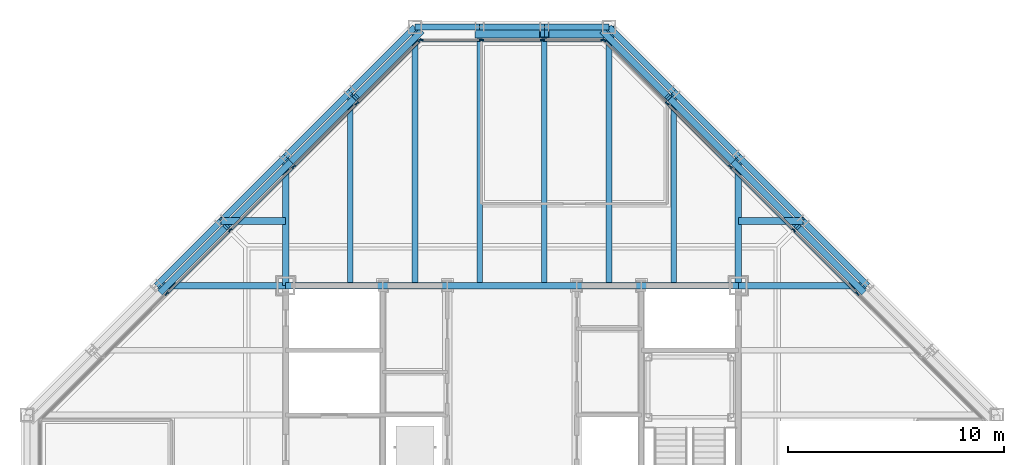
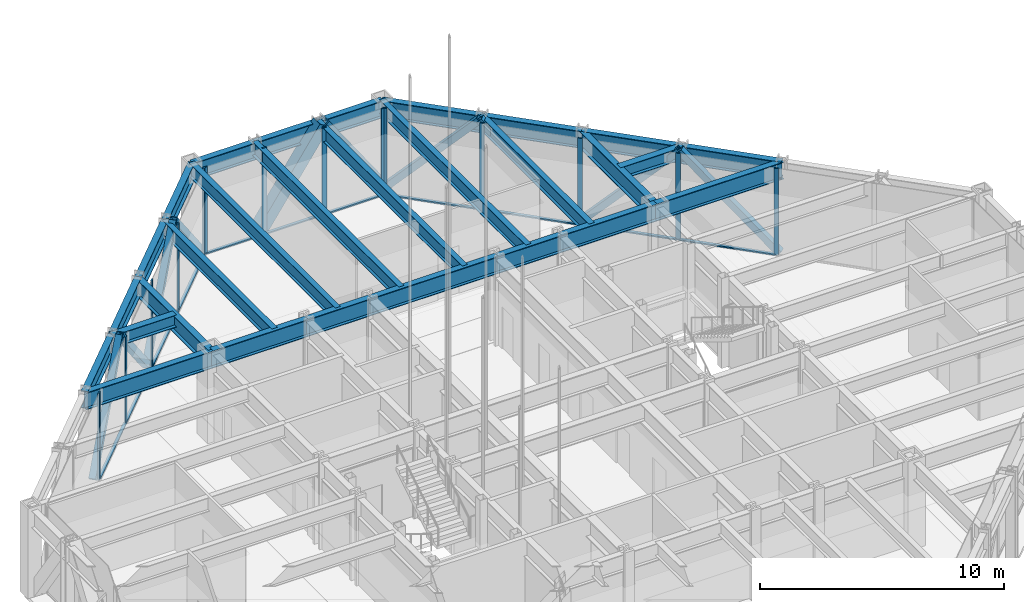
# One storey, part 8 of 24: 35 members, 28 beams, 3 elements without a shape of their own.
"""IFC4 building model written with IfcOpenShell, lengths in metres."""

from ifc_helpers import new_model, si_unit, direction, frame, origin, origin_2d, place, context, subcontext, project, spatial, rectangle, hollow_rectangle, i_section, extrude, material, layer, layer_set, material_profile, profile_set, type_object, element, aggregate, save


model = new_model("IFC4")

# Units and contexts
model_context = context("Model", 3, precision=1e-05, world=origin(), true_north=direction((0.0, 1.0)))
body_context = subcontext(model_context, "Body", "Model", "MODEL_VIEW")
ifc_project = project(units=[si_unit("LENGTHUNIT", "METRE"), si_unit("AREAUNIT", "SQUARE_METRE"), si_unit("VOLUMEUNIT", "CUBIC_METRE"), si_unit("PLANEANGLEUNIT", "RADIAN"), si_unit("MASSUNIT", "GRAM", prefix="KILO")], contexts=[model_context])

# Site, building, storey
site_placement = place(None, origin())
site = spatial("IfcSite", under=ifc_project, at=site_placement, CompositionType="ELEMENT")
building_placement = place(site_placement, origin())
building = spatial("IfcBuilding", under=site, at=building_placement, Name="Chuquiago Exchange Tower", CompositionType="ELEMENT")
storey_placement = place(building_placement, frame((0.0, 0.0, 257.699951171875)))
storey = spatial("IfcBuildingStorey", under=building, at=storey_placement, Name="L57", CompositionType="ELEMENT", Elevation=257.699951171875)

# Beams
ifc_material_1 = material(Name="Steel ASTM A992", Category="steel")
ifc_material_profile_1 = material_profile(ifc_material_1, i_section(OverallWidth=0.2919921875, OverallDepth=0.8583984375, WebThickness=0.01708984375, FlangeThickness=0.031005859375, at=origin_2d()), Name="W33X169")
ifc_profile_set_1 = profile_set([ifc_material_profile_1], Name="Steel ASTM A992")
beam_type_1 = type_object("IfcBeamType", Name="B3 W33X169", PredefinedType="BEAM", material=ifc_profile_set_1)
beam_1_placement = place(storey_placement, frame((12.0, 33.0, 3.91064453125), z_axis=(1.0, 0.0, 0.0), x_axis=(0.0, 1.0, 0.0)))
element("IfcBeam", 1, at=beam_1_placement, inside=storey, type_object=beam_type_1, Name="CB-L58-12_33-16.5_33", PredefinedType="BEAM", context=body_context, shape_type="SweptSolid", body=[
    extrude(i_section(OverallWidth=0.2919921875, OverallDepth=0.8583984375, WebThickness=0.01708984375, FlangeThickness=0.031005859375, at=origin_2d()), origin(), (0.0, 0.0, 1.0), 4.5),
])
beam_2_placement = place(storey_placement, frame((16.5, 33.0, 3.91064453125), z_axis=(1.0, 0.0, 0.0), x_axis=(0.0, 1.0, 0.0)))
element("IfcBeam", 2, at=beam_2_placement, inside=storey, type_object=beam_type_1, Name="CB-L58-16.5_33-19.5_33", PredefinedType="BEAM", context=body_context, shape_type="SweptSolid", body=[
    extrude(i_section(OverallWidth=0.2919921875, OverallDepth=0.8583984375, WebThickness=0.01708984375, FlangeThickness=0.031005859375, at=origin_2d()), origin(), (0.0, 0.0, 1.0), 3.0),
])
beam_3_placement = place(storey_placement, frame((19.5, 33.0, 3.91064453125), z_axis=(1.0, 0.0, 0.0), x_axis=(0.0, 1.0, 0.0)))
element("IfcBeam", 3, at=beam_3_placement, inside=storey, type_object=beam_type_1, Name="CB-L58-19.5_33-25.5_33", PredefinedType="BEAM", context=body_context, shape_type="SweptSolid", body=[
    extrude(i_section(OverallWidth=0.2919921875, OverallDepth=0.8583984375, WebThickness=0.01708984375, FlangeThickness=0.031005859375, at=origin_2d()), origin(), (0.0, 0.0, 1.0), 6.0),
])
beam_4_placement = place(storey_placement, frame((25.5, 33.0, 3.91064453125), z_axis=(1.0, 0.0, 0.0), x_axis=(0.0, 1.0, 0.0)))
element("IfcBeam", 4, at=beam_4_placement, inside=storey, type_object=beam_type_1, Name="CB-L58-25.5_33-28.5_33", PredefinedType="BEAM", context=body_context, shape_type="SweptSolid", body=[
    extrude(i_section(OverallWidth=0.2919921875, OverallDepth=0.8583984375, WebThickness=0.01708984375, FlangeThickness=0.031005859375, at=origin_2d()), origin(), (0.0, 0.0, 1.0), 3.0),
])
beam_5_placement = place(storey_placement, frame((28.5, 33.0, 3.91064453125), z_axis=(1.0, 0.0, 0.0), x_axis=(0.0, 1.0, 0.0)))
element("IfcBeam", 5, at=beam_5_placement, inside=storey, type_object=beam_type_1, Name="CB-L58-28.5_33-33_33", PredefinedType="BEAM", context=body_context, shape_type="SweptSolid", body=[
    extrude(i_section(OverallWidth=0.2919921875, OverallDepth=0.8583984375, WebThickness=0.01708984375, FlangeThickness=0.031005859375, at=origin_2d()), origin(), (0.0, 0.0, 1.0), 4.5),
])
ifc_material_2 = material(Name="Steel ASTM A992", Category="steel")
ifc_material_profile_2 = material_profile(ifc_material_2, i_section(OverallWidth=0.256591796875, OverallDepth=0.693359375, WebThickness=0.014404296875, FlangeThickness=0.023681640625, at=origin_2d()), Name="W27X114")
ifc_profile_set_2 = profile_set([ifc_material_profile_2], Name="Steel ASTM A992")
beam_type_2 = type_object("IfcBeamType", Name="B4 W27X114", PredefinedType="BEAM", material=ifc_profile_set_2)
beam_6_placement = place(storey_placement, frame((15.0, 33.0, 3.993408203125), z_axis=(0.0, 1.0, 0.0), x_axis=(-1.0, 0.0, 0.0)))
element("IfcBeam", 6, at=beam_6_placement, inside=storey, type_object=beam_type_2, Name="FB-L58-infill-15_33-15_42-0", PredefinedType="BEAM", context=body_context, shape_type="SweptSolid", body=[
    extrude(i_section(OverallWidth=0.256591796875, OverallDepth=0.693359375, WebThickness=0.014404296875, FlangeThickness=0.023681640625, at=origin_2d()), origin(), (0.0, 0.0, 1.0), 9.0),
])
for number, where, z_axis, x_axis, name in (
    (7, (18.0, 33.0, 3.993408203125), (0.0, 1.0, 0.0), (-1.0, 0.0, 0.0), "FB-L58-infill-18_33-18_45-0"),
    (8, (21.0, 33.0, 3.993408203125), (0.0, 1.0, 0.0), (-1.0, 0.0, 0.0), "FB-L58-infill-21_33-21_45-0"),
    (9, (24.0, 33.0, 3.993408203125), (0.0, 1.0, 0.0), (-1.0, 0.0, 0.0), "FB-L58-infill-24_33-24_45-0"),
    (10, (27.0, 33.0, 3.993408203125), (0.0, 1.0, 0.0), (-1.0, 0.0, 0.0), "FB-L58-infill-27_33-27_45-0"),
):
    element("IfcBeam", number, at=place(storey_placement, frame(where, z_axis=z_axis, x_axis=x_axis)), inside=storey, type_object=beam_type_2, Name=name, PredefinedType="BEAM", context=body_context, shape_type="SweptSolid", body=[
        extrude(i_section(OverallWidth=0.256591796875, OverallDepth=0.693359375, WebThickness=0.014404296875, FlangeThickness=0.023681640625, at=origin_2d()), origin(), (0.0, 0.0, 1.0), 12.0),
    ])
beam_7_placement = place(storey_placement, frame((30.0, 33.0, 3.993408203125), z_axis=(0.0, 1.0, 0.0), x_axis=(-1.0, 0.0, 0.0)))
element("IfcBeam", 11, at=beam_7_placement, inside=storey, type_object=beam_type_2, Name="FB-L58-infill-30_33-30_42-0", PredefinedType="BEAM", context=body_context, shape_type="SweptSolid", body=[
    extrude(i_section(OverallWidth=0.256591796875, OverallDepth=0.693359375, WebThickness=0.014404296875, FlangeThickness=0.023681640625, at=origin_2d()), origin(), (0.0, 0.0, 1.0), 9.0),
])
ifc_material_3 = material(Name="Steel ASTM A992", Category="steel")
ifc_material_profile_3 = material_profile(ifc_material_3, i_section(OverallWidth=0.3251953125, OverallDepth=0.6171875, WebThickness=0.013916015625, FlangeThickness=0.021484375, at=origin_2d()), Name="W24X117")
ifc_profile_set_3 = profile_set([ifc_material_profile_3], Name="Steel ASTM A992")
beam_type_3 = type_object("IfcBeamType", Name="B5 W24X117", PredefinedType="BEAM", material=ifc_profile_set_3)
for number, where, z_axis, x_axis, name in (
    (12, (12.0, 36.0, 4.031494140625), (-1.0, 0.0, 0.0), (0.0, -1.0, 0.0), "FB-L58-corner-12_36-9_36-0"),
    (13, (33.0, 36.0, 4.031494140625), (1.0, 0.0, 0.0), (0.0, 1.0, 0.0), "FB-L58-corner-33_36-36_36-0"),
):
    element("IfcBeam", number, at=place(storey_placement, frame(where, z_axis=z_axis, x_axis=x_axis)), inside=storey, type_object=beam_type_3, Name=name, PredefinedType="BEAM", context=body_context, shape_type="SweptSolid", body=[
        extrude(i_section(OverallWidth=0.3251953125, OverallDepth=0.6171875, WebThickness=0.013916015625, FlangeThickness=0.021484375, at=origin_2d()), origin(), (0.0, 0.0, 1.0), 3.0),
    ])

# Curtain wall, members
ifc_material_4 = material(Name="Aluminium curtain wall system", Category="aluminium")
ifc_layer_1 = layer(ifc_material_4, 0.22509765625)
ifc_layer_set_1 = layer_set([ifc_layer_1], Name="CW2 office curtain wall")
curtain_wall_type_1 = type_object("IfcCurtainWallType", Name="CW2 office curtain wall", PredefinedType="NOTDEFINED", material=ifc_layer_set_1)
curtain_wall_1_placement = place(storey_placement, origin())
curtain_wall_1 = element("IfcCurtainWall", 14, at=curtain_wall_1_placement, inside=storey, type_object=curtain_wall_type_1, Name="CW2 curtain wall L57", PredefinedType="NOTDEFINED")
ifc_material_5 = material(Name="Aluminium mullion, pale anodised", Category="aluminium")
ifc_material_profile_4 = material_profile(ifc_material_5, rectangle(XDim=0.06494140625, YDim=0.22509765625, at=origin_2d()), Name="AL 65x225")
ifc_profile_set_4 = profile_set([ifc_material_profile_4], Name="Aluminium mullion, pale anodised")
member_type_1 = type_object("IfcMemberType", Name="CW2-M mullion 65x225", PredefinedType="MULLION", material=ifc_profile_set_4)
member_1_placement = place(storey_placement, frame((26.718994140625, 44.39990234375, 0.0), z_axis=(0.0, 0.0, 1.0), x_axis=(0.0, -1.0, 0.0)))
member_1 = element("IfcMember", 15, at=member_1_placement, type_object=member_type_1, Name="CW2 mullion 1", PredefinedType="MULLION", context=body_context, shape_type="SweptSolid", body=[
    extrude(rectangle(XDim=0.06494140625, YDim=0.22509765625, at=origin_2d()), origin(), (0.0, 0.0, 1.0), 4.340087890625),
])
member_2_placement = place(storey_placement, frame((23.917236328125, 44.39990234375, 0.0), z_axis=(0.0, 0.0, 1.0), x_axis=(0.0, -1.0, 0.0)))
member_2 = element("IfcMember", 16, at=member_2_placement, type_object=member_type_1, Name="CW2 mullion 2", PredefinedType="MULLION", context=body_context, shape_type="SweptSolid", body=[
    extrude(rectangle(XDim=0.06494140625, YDim=0.22509765625, at=origin_2d()), origin(), (0.0, 0.0, 1.0), 4.340087890625),
])
member_3_placement = place(storey_placement, frame((21.082763671875, 44.39990234375, 0.0), z_axis=(0.0, 0.0, 1.0), x_axis=(0.0, -1.0, 0.0)))
member_3 = element("IfcMember", 17, at=member_3_placement, type_object=member_type_1, Name="CW2 mullion 3", PredefinedType="MULLION", context=body_context, shape_type="SweptSolid", body=[
    extrude(rectangle(XDim=0.06494140625, YDim=0.22509765625, at=origin_2d()), origin(), (0.0, 0.0, 1.0), 4.340087890625),
])
member_4_placement = place(storey_placement, frame((18.281005859375, 44.39990234375, 0.0), z_axis=(0.0, 0.0, 1.0), x_axis=(0.0, -1.0, 0.0)))
member_4 = element("IfcMember", 18, at=member_4_placement, type_object=member_type_1, Name="CW2 mullion 4", PredefinedType="MULLION", context=body_context, shape_type="SweptSolid", body=[
    extrude(rectangle(XDim=0.06494140625, YDim=0.22509765625, at=origin_2d()), origin(), (0.0, 0.0, 1.0), 4.340087890625),
])
ifc_material_6 = material(Name="Aluminium transom, pale anodised", Category="aluminium")
ifc_material_profile_5 = material_profile(ifc_material_6, rectangle(XDim=0.139892578125, YDim=0.06494140625, at=origin_2d()), Name="AL 140x65")
ifc_profile_set_5 = profile_set([ifc_material_profile_5], Name="Aluminium transom, pale anodised")
member_type_2 = type_object("IfcMemberType", Name="CW2-T transom 65x140", PredefinedType="MULLION", material=ifc_profile_set_5)
member_5_placement = place(storey_placement, frame((26.6865234375, 44.39990234375, 0.032470703125), z_axis=(-1.0, 0.0, 0.0), x_axis=(0.0, -1.0, 0.0)))
member_5 = element("IfcMember", 19, at=member_5_placement, type_object=member_type_2, Name="CW2 transom 1.1", PredefinedType="MULLION", context=body_context, shape_type="SweptSolid", body=[
    extrude(rectangle(XDim=0.139892578125, YDim=0.06494140625, at=origin_2d()), origin(), (0.0, 0.0, 1.0), 2.73681640625),
])
member_6_placement = place(storey_placement, frame((23.884765625, 44.39990234375, 0.032470703125), z_axis=(-1.0, 0.0, 0.0), x_axis=(0.0, -1.0, 0.0)))
member_6 = element("IfcMember", 20, at=member_6_placement, type_object=member_type_2, Name="CW2 transom 2.1", PredefinedType="MULLION", context=body_context, shape_type="SweptSolid", body=[
    extrude(rectangle(XDim=0.139892578125, YDim=0.06494140625, at=origin_2d()), origin(), (0.0, 0.0, 1.0), 2.76953125),
])
member_7_placement = place(storey_placement, frame((21.05029296875, 44.39990234375, 0.032470703125), z_axis=(-1.0, 0.0, 0.0), x_axis=(0.0, -1.0, 0.0)))
member_7 = element("IfcMember", 21, at=member_7_placement, type_object=member_type_2, Name="CW2 transom 3.1", PredefinedType="MULLION", context=body_context, shape_type="SweptSolid", body=[
    extrude(rectangle(XDim=0.139892578125, YDim=0.06494140625, at=origin_2d()), origin(), (0.0, 0.0, 1.0), 2.73681640625),
])
aggregate(curtain_wall_1, [member_1, member_2, member_3, member_4, member_5, member_6, member_7])

ifc_material_7 = material(Name="Aluminium curtain wall system", Category="aluminium")
ifc_layer_2 = layer(ifc_material_7, 0.199951171875)
ifc_layer_set_2 = layer_set([ifc_layer_2], Name="CW3 facet curtain wall")
curtain_wall_type_2 = type_object("IfcCurtainWallType", Name="CW3 facet curtain wall", PredefinedType="NOTDEFINED", material=ifc_layer_set_2)
curtain_wall_2_placement = place(storey_placement, origin())
curtain_wall_2 = element("IfcCurtainWall", 22, at=curtain_wall_2_placement, inside=storey, type_object=curtain_wall_type_2, Name="CW3 curtain wall L57", PredefinedType="NOTDEFINED")
ifc_material_8 = material(Name="Aluminium mullion, pale anodised", Category="aluminium")
ifc_material_profile_6 = material_profile(ifc_material_8, rectangle(XDim=0.06494140625, YDim=0.199951171875, at=origin_2d()), Name="AL 65x200")
ifc_profile_set_6 = profile_set([ifc_material_profile_6], Name="Aluminium mullion, pale anodised")
member_type_3 = type_object("IfcMemberType", Name="CW3-M mullion 65x200", PredefinedType="MULLION", material=ifc_profile_set_6)
member_8_placement = place(storey_placement, frame((38.51708984375, 32.63427734375, 0.0), z_axis=(0.0, 0.0, 1.0), x_axis=(-0.707106781187, -0.707106781187, 0.0)))
member_8 = element("IfcMember", 23, at=member_8_placement, type_object=member_type_3, Name="CW3 mullion 3", PredefinedType="MULLION", context=body_context, shape_type="SweptSolid", body=[
    extrude(rectangle(XDim=0.06494140625, YDim=0.199951171875, at=origin_2d()), origin(), (0.0, 0.0, 1.0), 4.340087890625),
])
member_9_placement = place(storey_placement, frame((35.57568359375, 35.57568359375, 0.0), z_axis=(0.0, 0.0, 1.0), x_axis=(-0.707106781187, -0.707106781187, 0.0)))
member_9 = element("IfcMember", 24, at=member_9_placement, type_object=member_type_3, Name="CW3 mullion 4", PredefinedType="MULLION", context=body_context, shape_type="SweptSolid", body=[
    extrude(rectangle(XDim=0.06494140625, YDim=0.199951171875, at=origin_2d()), origin(), (0.0, 0.0, 1.0), 4.340087890625),
])
member_10_placement = place(storey_placement, frame((32.63427734375, 38.51708984375, 0.0), z_axis=(0.0, 0.0, 1.0), x_axis=(-0.707106781187, -0.707106781187, 0.0)))
member_10 = element("IfcMember", 25, at=member_10_placement, type_object=member_type_3, Name="CW3 mullion 5", PredefinedType="MULLION", context=body_context, shape_type="SweptSolid", body=[
    extrude(rectangle(XDim=0.06494140625, YDim=0.199951171875, at=origin_2d()), origin(), (0.0, 0.0, 1.0), 4.340087890625),
])
member_11_placement = place(storey_placement, frame((29.69287109375, 41.45849609375, 0.0), z_axis=(0.0, 0.0, 1.0), x_axis=(-0.707106781187, -0.707106781187, 0.0)))
member_11 = element("IfcMember", 26, at=member_11_placement, type_object=member_type_3, Name="CW3 mullion 6", PredefinedType="MULLION", context=body_context, shape_type="SweptSolid", body=[
    extrude(rectangle(XDim=0.06494140625, YDim=0.199951171875, at=origin_2d()), origin(), (0.0, 0.0, 1.0), 4.340087890625),
])
member_12_placement = place(storey_placement, frame((26.7744140625, 44.376953125, 0.0), z_axis=(0.0, 0.0, 1.0), x_axis=(-0.707106781187, -0.707106781187, 0.0)))
member_12 = element("IfcMember", 27, at=member_12_placement, type_object=member_type_3, Name="CW3 mullion 7", PredefinedType="MULLION", context=body_context, shape_type="SweptSolid", body=[
    extrude(rectangle(XDim=0.06494140625, YDim=0.199951171875, at=origin_2d()), origin(), (0.0, 0.0, 1.0), 4.340087890625),
])

curtain_wall_3_placement = place(storey_placement, origin())
curtain_wall_3 = element("IfcCurtainWall", 28, at=curtain_wall_3_placement, inside=storey, type_object=curtain_wall_type_2, Name="CW3 curtain wall L57", PredefinedType="NOTDEFINED")
member_13_placement = place(storey_placement, frame((18.2255859375, 44.376953125, 0.0), z_axis=(0.0, 0.0, 1.0), x_axis=(0.707106781187, -0.707106781187, 0.0)))
member_13 = element("IfcMember", 29, at=member_13_placement, type_object=member_type_3, Name="CW3 mullion 1", PredefinedType="MULLION", context=body_context, shape_type="SweptSolid", body=[
    extrude(rectangle(XDim=0.06494140625, YDim=0.199951171875, at=origin_2d()), origin(), (0.0, 0.0, 1.0), 4.340087890625),
])
member_14_placement = place(storey_placement, frame((15.30712890625, 41.45849609375, 0.0), z_axis=(0.0, 0.0, 1.0), x_axis=(0.707106781187, -0.707106781187, 0.0)))
member_14 = element("IfcMember", 30, at=member_14_placement, type_object=member_type_3, Name="CW3 mullion 2", PredefinedType="MULLION", context=body_context, shape_type="SweptSolid", body=[
    extrude(rectangle(XDim=0.06494140625, YDim=0.199951171875, at=origin_2d()), origin(), (0.0, 0.0, 1.0), 4.340087890625),
])
member_15_placement = place(storey_placement, frame((12.36572265625, 38.51708984375, 0.0), z_axis=(0.0, 0.0, 1.0), x_axis=(0.707106781187, -0.707106781187, 0.0)))
member_15 = element("IfcMember", 31, at=member_15_placement, type_object=member_type_3, Name="CW3 mullion 3", PredefinedType="MULLION", context=body_context, shape_type="SweptSolid", body=[
    extrude(rectangle(XDim=0.06494140625, YDim=0.199951171875, at=origin_2d()), origin(), (0.0, 0.0, 1.0), 4.340087890625),
])
member_16_placement = place(storey_placement, frame((9.42431640625, 35.57568359375, 0.0), z_axis=(0.0, 0.0, 1.0), x_axis=(0.707106781187, -0.707106781187, 0.0)))
member_16 = element("IfcMember", 32, at=member_16_placement, type_object=member_type_3, Name="CW3 mullion 4", PredefinedType="MULLION", context=body_context, shape_type="SweptSolid", body=[
    extrude(rectangle(XDim=0.06494140625, YDim=0.199951171875, at=origin_2d()), origin(), (0.0, 0.0, 1.0), 4.340087890625),
])
member_17_placement = place(storey_placement, frame((6.48291015625, 32.63427734375, 0.0), z_axis=(0.0, 0.0, 1.0), x_axis=(0.707106781187, -0.707106781187, 0.0)))
member_17 = element("IfcMember", 33, at=member_17_placement, type_object=member_type_3, Name="CW3 mullion 5", PredefinedType="MULLION", context=body_context, shape_type="SweptSolid", body=[
    extrude(rectangle(XDim=0.06494140625, YDim=0.199951171875, at=origin_2d()), origin(), (0.0, 0.0, 1.0), 4.340087890625),
])

# Member
ifc_material_9 = material(Name="Aluminium transom, pale anodised", Category="aluminium")
ifc_material_profile_7 = material_profile(ifc_material_9, rectangle(XDim=0.139892578125, YDim=0.06494140625, at=origin_2d()), Name="AL 140x65")
ifc_profile_set_7 = profile_set([ifc_material_profile_7], Name="Aluminium transom, pale anodised")
member_type_4 = type_object("IfcMemberType", Name="CW3-T transom 65x140", PredefinedType="MULLION", material=ifc_profile_set_7)
member_18_placement = place(storey_placement, frame((38.494140625, 32.6572265625, 0.032470703125), z_axis=(-0.707106781187, 0.707106781187, 0.0), x_axis=(-0.707106781187, -0.707106781187, 0.0)))
member_18 = element("IfcMember", 34, at=member_18_placement, type_object=member_type_4, Name="CW3 transom 3.1", PredefinedType="MULLION", context=body_context, shape_type="SweptSolid", body=[
    extrude(rectangle(XDim=0.139892578125, YDim=0.06494140625, at=origin_2d()), origin(), (0.0, 0.0, 1.0), 4.094970703125),
])

member_19_placement = place(storey_placement, frame((35.552734375, 35.5986328125, 0.032470703125), z_axis=(-0.707106781187, 0.707106781187, 0.0), x_axis=(-0.707106781187, -0.707106781187, 0.0)))
member_19 = element("IfcMember", 35, at=member_19_placement, type_object=member_type_4, Name="CW3 transom 4.1", PredefinedType="MULLION", context=body_context, shape_type="SweptSolid", body=[
    extrude(rectangle(XDim=0.139892578125, YDim=0.06494140625, at=origin_2d()), origin(), (0.0, 0.0, 1.0), 4.094970703125),
])

member_20_placement = place(storey_placement, frame((32.611328125, 38.5400390625, 0.032470703125), z_axis=(-0.707106781187, 0.707106781187, 0.0), x_axis=(-0.707106781187, -0.707106781187, 0.0)))
member_20 = element("IfcMember", 36, at=member_20_placement, type_object=member_type_4, Name="CW3 transom 5.1", PredefinedType="MULLION", context=body_context, shape_type="SweptSolid", body=[
    extrude(rectangle(XDim=0.139892578125, YDim=0.06494140625, at=origin_2d()), origin(), (0.0, 0.0, 1.0), 4.094970703125),
])

member_21_placement = place(storey_placement, frame((29.669921875, 41.4814453125, 0.032470703125), z_axis=(-0.707106781187, 0.707106781187, 0.0), x_axis=(-0.707106781187, -0.707106781187, 0.0)))
member_21 = element("IfcMember", 37, at=member_21_placement, type_object=member_type_4, Name="CW3 transom 6.1", PredefinedType="MULLION", context=body_context, shape_type="SweptSolid", body=[
    extrude(rectangle(XDim=0.139892578125, YDim=0.06494140625, at=origin_2d()), origin(), (0.0, 0.0, 1.0), 4.0625),
])

aggregate(curtain_wall_2, [member_8, member_9, member_10, member_11, member_12, member_18, member_19, member_20, member_21])

member_22_placement = place(storey_placement, frame((18.20263671875, 44.35400390625, 0.032470703125), z_axis=(-0.707106781187, -0.707106781187, 0.0), x_axis=(0.707106781187, -0.707106781187, 0.0)))
member_22 = element("IfcMember", 38, at=member_22_placement, type_object=member_type_4, Name="CW3 transom 1.1", PredefinedType="MULLION", context=body_context, shape_type="SweptSolid", body=[
    extrude(rectangle(XDim=0.139892578125, YDim=0.06494140625, at=origin_2d()), origin(), (0.0, 0.0, 1.0), 4.0625),
])

member_23_placement = place(storey_placement, frame((15.2841796875, 41.435546875, 0.032470703125), z_axis=(-0.707106781187, -0.707106781187, 0.0), x_axis=(0.707106781187, -0.707106781187, 0.0)))
member_23 = element("IfcMember", 39, at=member_23_placement, type_object=member_type_4, Name="CW3 transom 2.1", PredefinedType="MULLION", context=body_context, shape_type="SweptSolid", body=[
    extrude(rectangle(XDim=0.139892578125, YDim=0.06494140625, at=origin_2d()), origin(), (0.0, 0.0, 1.0), 4.094970703125),
])

member_24_placement = place(storey_placement, frame((12.3427734375, 38.494140625, 0.032470703125), z_axis=(-0.707106781187, -0.707106781187, 0.0), x_axis=(0.707106781187, -0.707106781187, 0.0)))
member_24 = element("IfcMember", 40, at=member_24_placement, type_object=member_type_4, Name="CW3 transom 3.1", PredefinedType="MULLION", context=body_context, shape_type="SweptSolid", body=[
    extrude(rectangle(XDim=0.139892578125, YDim=0.06494140625, at=origin_2d()), origin(), (0.0, 0.0, 1.0), 4.094970703125),
])

member_25_placement = place(storey_placement, frame((9.4013671875, 35.552734375, 0.032470703125), z_axis=(-0.707106781187, -0.707106781187, 0.0), x_axis=(0.707106781187, -0.707106781187, 0.0)))
member_25 = element("IfcMember", 41, at=member_25_placement, type_object=member_type_4, Name="CW3 transom 4.1", PredefinedType="MULLION", context=body_context, shape_type="SweptSolid", body=[
    extrude(rectangle(XDim=0.139892578125, YDim=0.06494140625, at=origin_2d()), origin(), (0.0, 0.0, 1.0), 4.094970703125),
])

aggregate(curtain_wall_3, [member_13, member_14, member_15, member_16, member_17, member_22, member_23, member_24, member_25])

# Beams
ifc_material_10 = material(Name="Steel ASTM A992", Category="steel")
ifc_material_profile_8 = material_profile(ifc_material_10, i_section(OverallWidth=0.2919921875, OverallDepth=0.8583984375, WebThickness=0.01708984375, FlangeThickness=0.031005859375, at=origin_2d()), Name="W33X169")
ifc_profile_set_8 = profile_set([ifc_material_profile_8], Name="Steel ASTM A992")
beam_type_4 = type_object("IfcBeamType", Name="G2 W33X169", PredefinedType="BEAM", material=ifc_profile_set_8)
for number, where, z_axis, x_axis, name in (
    (42, (12.0, 33.0, 3.91064453125), (0.0, 1.0, 0.0), (-1.0, 0.0, 0.0), "FB-L58-girder-12_33-12_39-0"),
    (43, (33.0, 33.0, 3.91064453125), (0.0, 1.0, 0.0), (-1.0, 0.0, 0.0), "FB-L58-girder-33_33-33_39-0"),
    (44, (33.0, 33.0, 3.91064453125), (1.0, 0.0, 0.0), (0.0, 1.0, 0.0), "FB-L58-girder-33_33-39_33-0"),
    (45, (12.0, 33.0, 3.91064453125), (-1.0, 0.0, 0.0), (0.0, -1.0, 0.0), "FB-L58-girder-12_33-6_33-0"),
):
    element("IfcBeam", number, at=place(storey_placement, frame(where, z_axis=z_axis, x_axis=x_axis)), inside=storey, type_object=beam_type_4, Name=name, PredefinedType="BEAM", context=body_context, shape_type="SweptSolid", body=[
        extrude(i_section(OverallWidth=0.2919921875, OverallDepth=0.8583984375, WebThickness=0.01708984375, FlangeThickness=0.031005859375, at=origin_2d()), origin(), (0.0, 0.0, 1.0), 6.0),
    ])

# Members
ifc_material_11 = material(Name="Steel ASTM A500 Grade C", Category="steel")
ifc_material_profile_9 = material_profile(ifc_material_11, hollow_rectangle(XDim=0.3046875, YDim=0.3046875, WallThickness=0.0146484375, at=origin_2d()), Name="HSS12X12X5/8")
ifc_profile_set_9 = profile_set([ifc_material_profile_9], Name="Steel ASTM A500 Grade C")
member_type_5 = type_object("IfcMemberType", Name="LB3 HSS12X12X5/8", PredefinedType="BRACE", material=ifc_profile_set_9)
for number, where, z_axis, x_axis, name in (
    (46, (38.750732421875, 32.750732421875, 0.0), (-0.494291205278, 0.494291205278, 0.715089091491), (-0.707106781187, -0.707106781187, 0.0), "LB-L57-39_33-36_36"),
    (47, (32.750732421875, 38.750732421875, 0.0), (0.494291205278, -0.494291205278, 0.715089091491), (0.707106781187, 0.707106781187, 0.0), "LB-L57-36_36-33_39"),
    (48, (32.750732421875, 38.750732421875, 0.0), (-0.494291205278, 0.494291205278, 0.715089091491), (-0.707106781187, -0.707106781187, 0.0), "LB-L57-33_39-30_42"),
    (49, (26.750732421875, 44.750732421875, 0.0), (0.494291205278, -0.494291205278, 0.715089091491), (0.707106781187, 0.707106781187, 0.0), "LB-L57-30_42-27_45"),
    (50, (18.249267578125, 44.750732421875, 0.0), (-0.494291205278, -0.494291205278, 0.715089091491), (0.707106781187, -0.707106781187, 0.0), "LB-L57-18_45-15_42"),
    (51, (12.249267578125, 38.750732421875, 0.0), (0.494291205278, 0.494291205278, 0.715089091491), (-0.707106781187, 0.707106781187, 0.0), "LB-L57-15_42-12_39"),
    (52, (12.249267578125, 38.750732421875, 0.0), (-0.494291205278, -0.494291205278, 0.715089091491), (0.707106781187, -0.707106781187, 0.0), "LB-L57-12_39-9_36"),
    (53, (6.249267578125, 32.750732421875, 0.0), (0.494291205278, 0.494291205278, 0.715089091491), (-0.707106781187, 0.707106781187, 0.0), "LB-L57-9_36-6_33"),
):
    element("IfcMember", number, at=place(storey_placement, frame(where, z_axis=z_axis, x_axis=x_axis)), inside=storey, type_object=member_type_5, Name=name, PredefinedType="BRACE", context=body_context, shape_type="SweptSolid", body=[
        extrude(hollow_rectangle(XDim=0.3046875, YDim=0.3046875, WallThickness=0.0146484375, at=origin_2d()), origin(), (0.0, 0.0, 1.0), 6.0693359375),
    ])
ifc_material_12 = material(Name="Steel ASTM A572 Grade 50", Category="steel")
ifc_material_profile_10 = material_profile(ifc_material_12, hollow_rectangle(XDim=0.550048828125, YDim=0.550048828125, WallThickness=0.044921875, at=origin_2d()), Name="BOX550X550X45")
ifc_profile_set_10 = profile_set([ifc_material_profile_10], Name="Steel ASTM A572 Grade 50")
member_type_6 = type_object("IfcMemberType", Name="MB4 BOX550X550X45", PredefinedType="BRACE", material=ifc_profile_set_10)
for number, where, z_axis, x_axis, name in (
    (54, (27.0, 44.77001953125, 0.0), (-0.568610676405, 0.0, 0.822606770382), (0.0, -1.0, 0.0), "Mega diagonal L57 N face"),
    (55, (21.0, 44.77001953125, 0.0), (0.568610676405, 0.0, 0.822606770382), (0.0, 1.0, 0.0), "Mega diagonal L57 N face"),
):
    element("IfcMember", number, at=place(storey_placement, frame(where, z_axis=z_axis, x_axis=x_axis)), inside=storey, type_object=member_type_6, Name=name, PredefinedType="BRACE", context=body_context, shape_type="SweptSolid", body=[
        extrude(hollow_rectangle(XDim=0.550048828125, YDim=0.550048828125, WallThickness=0.044921875, at=origin_2d()), origin(), (0.0, 0.0, 1.0), 5.276123046875),
    ])

# Beams
ifc_material_13 = material(Name="Steel ASTM A992", Category="steel")
ifc_material_profile_11 = material_profile(ifc_material_13, i_section(OverallWidth=0.2919921875, OverallDepth=0.8583984375, WebThickness=0.01708984375, FlangeThickness=0.031005859375, at=origin_2d()), Name="W33X169")
ifc_profile_set_11 = profile_set([ifc_material_profile_11], Name="Steel ASTM A992")
beam_type_5 = type_object("IfcBeamType", Name="SP4 W33X169", PredefinedType="SPANDREL", material=ifc_profile_set_11)
for number, where, z_axis, x_axis, name in (
    (56, (39.0, 33.0, 3.91064453125), (-0.707106781187, 0.707106781187, 0.0), (-0.707106781187, -0.707106781187, 0.0), "SPB-L58-39_33-36_36"),
    (57, (36.0, 36.0, 3.91064453125), (-0.707106781187, 0.707106781187, 0.0), (-0.707106781187, -0.707106781187, 0.0), "SPB-L58-36_36-33_39"),
    (58, (33.0, 39.0, 3.91064453125), (-0.707106781187, 0.707106781187, 0.0), (-0.707106781187, -0.707106781187, 0.0), "SPB-L58-33_39-30_42"),
    (59, (30.0, 42.0, 3.91064453125), (-0.707106781187, 0.707106781187, 0.0), (-0.707106781187, -0.707106781187, 0.0), "SPB-L58-30_42-27_45"),
):
    element("IfcBeam", number, at=place(storey_placement, frame(where, z_axis=z_axis, x_axis=x_axis)), inside=storey, type_object=beam_type_5, Name=name, PredefinedType="SPANDREL", context=body_context, shape_type="SweptSolid", body=[
        extrude(i_section(OverallWidth=0.2919921875, OverallDepth=0.8583984375, WebThickness=0.01708984375, FlangeThickness=0.031005859375, at=origin_2d()), origin(), (0.0, 0.0, 1.0), 4.24267578125),
    ])
for number, where, z_axis, x_axis, name in (
    (60, (27.0, 45.0, 3.91064453125), (-1.0, 0.0, 0.0), (0.0, -1.0, 0.0), "SPB-L58-27_45-24_45"),
    (61, (24.0, 45.0, 3.91064453125), (-1.0, 0.0, 0.0), (0.0, -1.0, 0.0), "SPB-L58-24_45-21_45"),
    (62, (21.0, 45.0, 3.91064453125), (-1.0, 0.0, 0.0), (0.0, -1.0, 0.0), "SPB-L58-21_45-18_45"),
):
    element("IfcBeam", number, at=place(storey_placement, frame(where, z_axis=z_axis, x_axis=x_axis)), inside=storey, type_object=beam_type_5, Name=name, PredefinedType="SPANDREL", context=body_context, shape_type="SweptSolid", body=[
        extrude(i_section(OverallWidth=0.2919921875, OverallDepth=0.8583984375, WebThickness=0.01708984375, FlangeThickness=0.031005859375, at=origin_2d()), origin(), (0.0, 0.0, 1.0), 3.0),
    ])
for number, where, z_axis, x_axis, name in (
    (63, (18.0, 45.0, 3.91064453125), (-0.707106781187, -0.707106781187, 0.0), (0.707106781187, -0.707106781187, 0.0), "SPB-L58-18_45-15_42"),
    (64, (15.0, 42.0, 3.91064453125), (-0.707106781187, -0.707106781187, 0.0), (0.707106781187, -0.707106781187, 0.0), "SPB-L58-15_42-12_39"),
    (65, (12.0, 39.0, 3.91064453125), (-0.707106781187, -0.707106781187, 0.0), (0.707106781187, -0.707106781187, 0.0), "SPB-L58-12_39-9_36"),
    (66, (9.0, 36.0, 3.91064453125), (-0.707106781187, -0.707106781187, 0.0), (0.707106781187, -0.707106781187, 0.0), "SPB-L58-9_36-6_33"),
):
    element("IfcBeam", number, at=place(storey_placement, frame(where, z_axis=z_axis, x_axis=x_axis)), inside=storey, type_object=beam_type_5, Name=name, PredefinedType="SPANDREL", context=body_context, shape_type="SweptSolid", body=[
        extrude(i_section(OverallWidth=0.2919921875, OverallDepth=0.8583984375, WebThickness=0.01708984375, FlangeThickness=0.031005859375, at=origin_2d()), origin(), (0.0, 0.0, 1.0), 4.24267578125),
    ])

save(model, "model.ifc")
